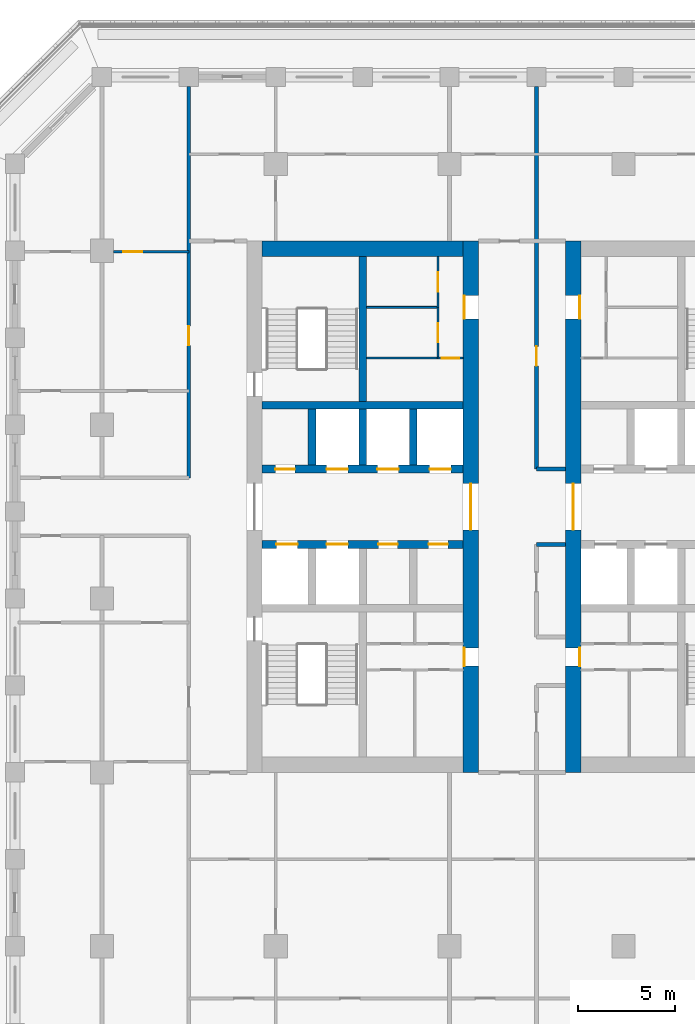
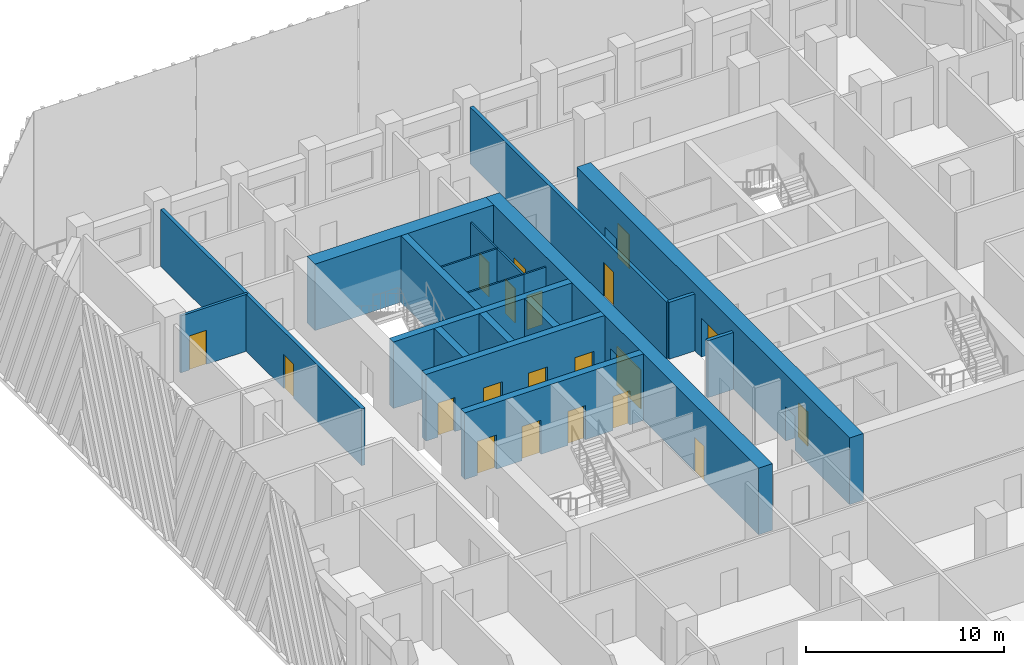
# One storey, part 6 of 17: 20 doors, 20 walls, 20 openings.
"""IFC4 building model written with IfcOpenShell, lengths in metres."""

from ifc_helpers import new_model, si_unit, direction, frame, frame_2d, origin, place, context, subcontext, project, spatial, rectangle, extrude, material, layer, layer_set, type_object, element, fill, save


model = new_model("IFC4")

# Units and contexts
model_context = context("Model", 3, precision=1e-05, world=origin(), true_north=direction((0.0, 1.0)))
body_context = subcontext(model_context, "Body", "Model", "MODEL_VIEW")
ifc_project = project(units=[si_unit("LENGTHUNIT", "METRE"), si_unit("AREAUNIT", "SQUARE_METRE"), si_unit("VOLUMEUNIT", "CUBIC_METRE"), si_unit("PLANEANGLEUNIT", "RADIAN"), si_unit("MASSUNIT", "GRAM", prefix="KILO")], contexts=[model_context])

# Site, building, storey
site_placement = place(None, origin())
site = spatial("IfcSite", under=ifc_project, at=site_placement, CompositionType="ELEMENT")
building_placement = place(site_placement, origin())
building = spatial("IfcBuilding", under=site, at=building_placement, Name="Corbel Stack Research Tower", CompositionType="ELEMENT")
storey_placement = place(building_placement, frame((0.0, 0.0, 216.10009765625)))
storey = spatial("IfcBuildingStorey", under=building, at=storey_placement, Name="L49", CompositionType="ELEMENT", Elevation=216.10009765625)

# Wall, openings, doors
ifc_material_1 = material(Name="Concrete C60/75", Category="concrete")
ifc_layer_1 = layer(ifc_material_1, 0.39990234375)
ifc_layer_set_1 = layer_set([ifc_layer_1], Name="Concrete C60/75")
wall_type_1 = type_object("IfcWallType", Name="CW-400-60", PredefinedType="SHEAR", material=ifc_layer_set_1)
wall_1_placement = place(storey_placement, frame((-9.699951171875, 2.800048828125, 0.0), z_axis=(0.0, 0.0, 1.0), x_axis=(1.0, 0.0, 0.0)))
wall_1 = element("IfcWall", 1, at=wall_1_placement, inside=storey, type_object=wall_type_1, Name="West core wall, lobby south L49", PredefinedType="SHEAR", context=body_context, shape_type="SweptSolid", body=[
    extrude(rectangle(XDim=10.39990234375, YDim=0.39990234375, at=frame_2d((5.199951171875, 0.0))), origin(), (0.0, 0.0, 1.0), 4.099853515625),
])
opening_1_placement = place(wall_1_placement, frame((0.737548828125, 0.0, 0.0)))
opening_1 = element("IfcOpeningElement", 2, at=opening_1_placement, cuts=wall_1, Name="Opening LD-FS1", PredefinedType="OPENING", context=body_context, shape_type="SweptSolid", body=[
    extrude(rectangle(XDim=1.10009765625, YDim=2.10009765625, at=frame_2d((0.550048828125, 1.050048828125))), frame((0.0, 0.2099609375, 0.0), z_axis=(0.0, -1.0, 0.0), x_axis=(1.0, 0.0, 0.0)), (0.0, 0.0, 1.0), 0.419921875),
])
opening_2_placement = place(wall_1_placement, frame((3.33740234375, 0.0, 0.0)))
opening_2 = element("IfcOpeningElement", 3, at=opening_2_placement, cuts=wall_1, Name="Opening LD-GL1", PredefinedType="OPENING", context=body_context, shape_type="SweptSolid", body=[
    extrude(rectangle(XDim=1.10009765625, YDim=2.10009765625, at=frame_2d((0.550048828125, 1.050048828125))), frame((0.0, 0.2099609375, 0.0), z_axis=(0.0, -1.0, 0.0), x_axis=(1.0, 0.0, 0.0)), (0.0, 0.0, 1.0), 0.419921875),
])
opening_3_placement = place(wall_1_placement, frame((6.012451171875, 0.0, 0.0)))
opening_3 = element("IfcOpeningElement", 4, at=opening_3_placement, cuts=wall_1, Name="Opening CR-W54-S3", PredefinedType="OPENING", context=body_context, shape_type="SweptSolid", body=[
    extrude(rectangle(XDim=1.0, YDim=2.10009765625, at=frame_2d((0.5, 1.050048828125))), frame((0.0, 0.2099609375, 0.0), z_axis=(0.0, -1.0, 0.0), x_axis=(1.0, 0.0, 0.0)), (0.0, 0.0, 1.0), 0.419921875),
])
opening_4_placement = place(wall_1_placement, frame((8.612548828125, 0.0, 0.0)))
opening_4 = element("IfcOpeningElement", 5, at=opening_4_placement, cuts=wall_1, Name="Opening CR-W54-S4", PredefinedType="OPENING", context=body_context, shape_type="SweptSolid", body=[
    extrude(rectangle(XDim=1.0, YDim=2.10009765625, at=frame_2d((0.5, 1.050048828125))), frame((0.0, 0.2099609375, 0.0), z_axis=(0.0, -1.0, 0.0), x_axis=(1.0, 0.0, 0.0)), (0.0, 0.0, 1.0), 0.419921875),
])
ifc_material_2 = material(Name="Stainless steel landing door", Category="steel")
door_type_1 = type_object("IfcDoorType", Name="Lift landing door 1100 x 2100", OperationType="DOUBLE_DOOR_SLIDING", PredefinedType="DOOR", material=ifc_material_2)
door_1_placement = place(opening_1_placement, origin())
door_1 = element("IfcDoor", 6, at=door_1_placement, inside=storey, type_object=door_type_1, Name="Landing door FS1", OperationType="DOUBLE_DOOR_SLIDING", OverallHeight=2.10009765625, OverallWidth=1.10009765625, PredefinedType="DOOR", context=body_context, shape_type="SweptSolid", body=[
    extrude(rectangle(XDim=1.10009765625, YDim=2.10009765625, at=frame_2d((0.550048828125, 1.050048828125))), frame((0.0, 0.02490234375, 0.0), z_axis=(0.0, -1.0, 0.0), x_axis=(1.0, 0.0, 0.0)), (0.0, 0.0, 1.0), 0.050048828125),
])
fill(opening_1, door_1)
door_2_placement = place(opening_2_placement, origin())
door_2 = element("IfcDoor", 7, at=door_2_placement, inside=storey, type_object=door_type_1, Name="Landing door GL1", OperationType="DOUBLE_DOOR_SLIDING", OverallHeight=2.10009765625, OverallWidth=1.10009765625, PredefinedType="DOOR", context=body_context, shape_type="SweptSolid", body=[
    extrude(rectangle(XDim=1.10009765625, YDim=2.10009765625, at=frame_2d((0.550048828125, 1.050048828125))), frame((0.0, 0.02490234375, 0.0), z_axis=(0.0, -1.0, 0.0), x_axis=(1.0, 0.0, 0.0)), (0.0, 0.0, 1.0), 0.050048828125),
])
fill(opening_2, door_2)
ifc_material_3 = material(Name="Painted steel door", Category="steel")
door_type_2 = type_object("IfcDoorType", Name="Service door 1000 x 2100 FD60 left hand", OperationType="SINGLE_SWING_LEFT", PredefinedType="DOOR", material=ifc_material_3)
door_3_placement = place(opening_3_placement, origin())
door_3 = element("IfcDoor", 8, at=door_3_placement, inside=storey, type_object=door_type_2, Name="Electrical room door W core", OperationType="SINGLE_SWING_LEFT", OverallHeight=2.10009765625, OverallWidth=1.0, PredefinedType="DOOR", context=body_context, shape_type="SweptSolid", body=[
    extrude(rectangle(XDim=1.0, YDim=2.10009765625, at=frame_2d((0.5, 1.050048828125))), frame((0.0, 0.02490234375, 0.0), z_axis=(0.0, -1.0, 0.0), x_axis=(1.0, 0.0, 0.0)), (0.0, 0.0, 1.0), 0.050048828125),
])
fill(opening_3, door_3)
ifc_material_4 = material(Name="Painted steel door", Category="steel")
door_type_3 = type_object("IfcDoorType", Name="Service door 1000 x 2100 FD60 right hand", OperationType="SINGLE_SWING_RIGHT", PredefinedType="DOOR", material=ifc_material_4)
door_4_placement = place(opening_4_placement, origin())
door_4 = element("IfcDoor", 9, at=door_4_placement, inside=storey, type_object=door_type_3, Name="Pantry door W core", OperationType="SINGLE_SWING_RIGHT", OverallHeight=2.10009765625, OverallWidth=1.0, PredefinedType="DOOR", context=body_context, shape_type="SweptSolid", body=[
    extrude(rectangle(XDim=1.0, YDim=2.10009765625, at=frame_2d((0.5, 1.050048828125))), frame((0.0, 0.02490234375, 0.0), z_axis=(0.0, -1.0, 0.0), x_axis=(1.0, 0.0, 0.0)), (0.0, 0.0, 1.0), 0.050048828125),
])
fill(opening_4, door_4)

wall_2_placement = place(storey_placement, frame((-9.699951171875, 6.699951171875, 0.0), z_axis=(0.0, 0.0, 1.0), x_axis=(1.0, 0.0, 0.0)))
wall_2 = element("IfcWall", 10, at=wall_2_placement, inside=storey, type_object=wall_type_1, Name="West core wall, lobby north L49", PredefinedType="SHEAR", context=body_context, shape_type="SweptSolid", body=[
    extrude(rectangle(XDim=10.39990234375, YDim=0.39990234375, at=frame_2d((5.199951171875, 0.0))), origin(), (0.0, 0.0, 1.0), 4.099853515625),
])
opening_5_placement = place(wall_2_placement, frame((3.33740234375, 0.0, 0.0)))
opening_5 = element("IfcOpeningElement", 11, at=opening_5_placement, cuts=wall_2, Name="Opening LD-HR1", PredefinedType="OPENING", context=body_context, shape_type="SweptSolid", body=[
    extrude(rectangle(XDim=1.10009765625, YDim=2.10009765625, at=frame_2d((0.550048828125, 1.050048828125))), frame((0.0, 0.2099609375, 0.0), z_axis=(0.0, -1.0, 0.0), x_axis=(1.0, 0.0, 0.0)), (0.0, 0.0, 1.0), 0.419921875),
])
opening_6_placement = place(wall_2_placement, frame((5.96240234375, 0.0, 0.0)))
opening_6 = element("IfcOpeningElement", 12, at=opening_6_placement, cuts=wall_2, Name="Opening LD-HR2", PredefinedType="OPENING", context=body_context, shape_type="SweptSolid", body=[
    extrude(rectangle(XDim=1.10009765625, YDim=2.10009765625, at=frame_2d((0.550048828125, 1.050048828125))), frame((0.0, 0.2099609375, 0.0), z_axis=(0.0, -1.0, 0.0), x_axis=(1.0, 0.0, 0.0)), (0.0, 0.0, 1.0), 0.419921875),
])
opening_7_placement = place(wall_2_placement, frame((8.66259765625, 0.0, 0.0)))
opening_7 = element("IfcOpeningElement", 13, at=opening_7_placement, cuts=wall_2, Name="Opening LD-HR3", PredefinedType="OPENING", context=body_context, shape_type="SweptSolid", body=[
    extrude(rectangle(XDim=1.10009765625, YDim=2.10009765625, at=frame_2d((0.550048828125, 1.050048828125))), frame((0.0, 0.2099609375, 0.0), z_axis=(0.0, -1.0, 0.0), x_axis=(1.0, 0.0, 0.0)), (0.0, 0.0, 1.0), 0.419921875),
])
opening_8_placement = place(wall_2_placement, frame((0.6875, 0.0, 0.0)))
opening_8 = element("IfcOpeningElement", 14, at=opening_8_placement, cuts=wall_2, Name="Opening CR-W54-N1", PredefinedType="OPENING", context=body_context, shape_type="SweptSolid", body=[
    extrude(rectangle(XDim=1.0, YDim=2.10009765625, at=frame_2d((0.5, 1.050048828125))), frame((0.0, 0.2099609375, 0.0), z_axis=(0.0, -1.0, 0.0), x_axis=(1.0, 0.0, 0.0)), (0.0, 0.0, 1.0), 0.419921875),
])
door_5_placement = place(opening_5_placement, origin())
door_5 = element("IfcDoor", 15, at=door_5_placement, inside=storey, type_object=door_type_1, Name="Landing door HR1", OperationType="DOUBLE_DOOR_SLIDING", OverallHeight=2.10009765625, OverallWidth=1.10009765625, PredefinedType="DOOR", context=body_context, shape_type="SweptSolid", body=[
    extrude(rectangle(XDim=1.10009765625, YDim=2.10009765625, at=frame_2d((0.550048828125, 1.050048828125))), frame((0.0, 0.02490234375, 0.0), z_axis=(0.0, -1.0, 0.0), x_axis=(1.0, 0.0, 0.0)), (0.0, 0.0, 1.0), 0.050048828125),
])
fill(opening_5, door_5)
door_6_placement = place(opening_6_placement, origin())
door_6 = element("IfcDoor", 16, at=door_6_placement, inside=storey, type_object=door_type_1, Name="Landing door HR2", OperationType="DOUBLE_DOOR_SLIDING", OverallHeight=2.10009765625, OverallWidth=1.10009765625, PredefinedType="DOOR", context=body_context, shape_type="SweptSolid", body=[
    extrude(rectangle(XDim=1.10009765625, YDim=2.10009765625, at=frame_2d((0.550048828125, 1.050048828125))), frame((0.0, 0.02490234375, 0.0), z_axis=(0.0, -1.0, 0.0), x_axis=(1.0, 0.0, 0.0)), (0.0, 0.0, 1.0), 0.050048828125),
])
fill(opening_6, door_6)
door_7_placement = place(opening_7_placement, origin())
door_7 = element("IfcDoor", 17, at=door_7_placement, inside=storey, type_object=door_type_1, Name="Landing door HR3", OperationType="DOUBLE_DOOR_SLIDING", OverallHeight=2.10009765625, OverallWidth=1.10009765625, PredefinedType="DOOR", context=body_context, shape_type="SweptSolid", body=[
    extrude(rectangle(XDim=1.10009765625, YDim=2.10009765625, at=frame_2d((0.550048828125, 1.050048828125))), frame((0.0, 0.02490234375, 0.0), z_axis=(0.0, -1.0, 0.0), x_axis=(1.0, 0.0, 0.0)), (0.0, 0.0, 1.0), 0.050048828125),
])
fill(opening_7, door_7)
door_8_placement = place(opening_8_placement, origin())
door_8 = element("IfcDoor", 18, at=door_8_placement, inside=storey, type_object=door_type_2, Name="Staff WC door W core", OperationType="SINGLE_SWING_LEFT", OverallHeight=2.10009765625, OverallWidth=1.0, PredefinedType="DOOR", context=body_context, shape_type="SweptSolid", body=[
    extrude(rectangle(XDim=1.0, YDim=2.10009765625, at=frame_2d((0.5, 1.050048828125))), frame((0.0, 0.02490234375, 0.0), z_axis=(0.0, -1.0, 0.0), x_axis=(1.0, 0.0, 0.0)), (0.0, 0.0, 1.0), 0.050048828125),
])
fill(opening_8, door_8)

# Walls
wall_3_placement = place(storey_placement, frame((-9.699951171875, 10.0, 0.0), z_axis=(0.0, 0.0, 1.0), x_axis=(1.0, 0.0, 0.0)))
element("IfcWall", 19, at=wall_3_placement, inside=storey, type_object=wall_type_1, Name="West core wall, north row back L49", PredefinedType="SHEAR", context=body_context, shape_type="SweptSolid", body=[
    extrude(rectangle(XDim=10.39990234375, YDim=0.39990234375, at=frame_2d((5.199951171875, 0.0))), origin(), (0.0, 0.0, 1.0), 4.099853515625),
])
for number, where, z_axis, x_axis, name in (
    (20, (-7.125, 6.89990234375, 0.0), (0.0, 0.0, 1.0), (0.0, 1.0, 0.0), "West core wall, north shaft 1 L49"),
    (21, (-4.5, 6.89990234375, 0.0), (0.0, 0.0, 1.0), (0.0, 1.0, 0.0), "West core wall, north shaft 2 L49"),
    (22, (-1.875, 6.89990234375, 0.0), (0.0, 0.0, 1.0), (0.0, 1.0, 0.0), "West core wall, north shaft 3 L49"),
):
    element("IfcWall", number, at=place(storey_placement, frame(where, z_axis=z_axis, x_axis=x_axis)), inside=storey, type_object=wall_type_1, Name=name, PredefinedType="SHEAR", context=body_context, shape_type="SweptSolid", body=[
        extrude(rectangle(XDim=2.900146484375, YDim=0.39990234375, at=frame_2d((1.4501953125, 0.0))), origin(), (0.0, 0.0, 1.0), 4.099853515625),
    ])
wall_4_placement = place(storey_placement, frame((-4.5, 10.199951171875, 0.0), z_axis=(0.0, 0.0, 1.0), x_axis=(0.0, 1.0, 0.0)))
element("IfcWall", 23, at=wall_4_placement, inside=storey, type_object=wall_type_1, Name="West core wall, north stair and riser L49", PredefinedType="SHEAR", context=body_context, shape_type="SweptSolid", body=[
    extrude(rectangle(XDim=7.5, YDim=0.39990234375, at=frame_2d((3.75, 0.0))), origin(), (0.0, 0.0, 1.0), 4.099853515625),
])

# Wall, openings, doors
ifc_material_5 = material(Name="Concrete C60/75", Category="concrete")
ifc_layer_2 = layer(ifc_material_5, 0.800048828125)
ifc_layer_set_2 = layer_set([ifc_layer_2], Name="Concrete C60/75")
wall_type_2 = type_object("IfcWallType", Name="CW-800-60", PredefinedType="SHEAR", material=ifc_layer_set_2)
wall_5_placement = place(storey_placement, frame((1.10009765625, -9.0, 0.0), z_axis=(0.0, 0.0, 1.0), x_axis=(0.0, 1.0, 0.0)))
wall_5 = element("IfcWall", 24, at=wall_5_placement, inside=storey, type_object=wall_type_2, Name="West core wall, east face L49", PredefinedType="SHEAR", context=body_context, shape_type="SweptSolid", body=[
    extrude(rectangle(XDim=27.5, YDim=0.800048828125, at=frame_2d((13.75, 0.0))), origin(), (0.0, 0.0, 1.0), 4.099853515625),
])
opening_9_placement = place(wall_5_placement, frame((12.550048828125, 0.0, 0.0)))
opening_9 = element("IfcOpeningElement", 25, at=opening_9_placement, cuts=wall_5, Name="Opening CD-W-E", PredefinedType="OPENING", context=body_context, shape_type="SweptSolid", body=[
    extrude(rectangle(XDim=2.39990234375, YDim=2.39990234375, at=frame_2d((1.199951171875, 1.199951171875))), frame((0.0, 0.409912109375, 0.0), z_axis=(0.0, -1.0, 0.0), x_axis=(1.0, 0.0, 0.0)), (0.0, 0.0, 1.0), 0.820068359375),
])
opening_10_placement = place(wall_5_placement, frame((5.5, 0.0, 0.0)))
opening_10 = element("IfcOpeningElement", 26, at=opening_10_placement, cuts=wall_5, Name="Opening CR-W54-W1-950", PredefinedType="OPENING", context=body_context, shape_type="SweptSolid", body=[
    extrude(rectangle(XDim=0.949951171875, YDim=2.10009765625, at=frame_2d((0.47509765625, 1.050048828125))), frame((0.0, 0.409912109375, 0.0), z_axis=(0.0, -1.0, 0.0), x_axis=(1.0, 0.0, 0.0)), (0.0, 0.0, 1.0), 0.820068359375),
])
opening_11_placement = place(wall_5_placement, frame((23.47509765625, 0.0, 0.0)))
opening_11 = element("IfcOpeningElement", 27, at=opening_11_placement, cuts=wall_5, Name="Opening CR-W54-R2-1200", PredefinedType="OPENING", context=body_context, shape_type="SweptSolid", body=[
    extrude(rectangle(XDim=1.199951171875, YDim=2.10009765625, at=frame_2d((0.60009765625, 1.050048828125))), frame((0.0, 0.409912109375, 0.0), z_axis=(0.0, -1.0, 0.0), x_axis=(1.0, 0.0, 0.0)), (0.0, 0.0, 1.0), 0.820068359375),
])
ifc_material_6 = material(Name="Painted steel fire door", Category="steel")
door_type_4 = type_object("IfcDoorType", Name="Lobby door pair 2400 x 2400 FD30S", OperationType="DOUBLE_DOOR_DOUBLE_SWING", PredefinedType="DOOR", material=ifc_material_6)
door_9_placement = place(opening_9_placement, origin())
door_9 = element("IfcDoor", 28, at=door_9_placement, inside=storey, type_object=door_type_4, Name="Lift lobby door W core E", OperationType="DOUBLE_DOOR_DOUBLE_SWING", OverallHeight=2.39990234375, OverallWidth=2.39990234375, PredefinedType="DOOR", context=body_context, shape_type="SweptSolid", body=[
    extrude(rectangle(XDim=2.39990234375, YDim=2.39990234375, at=frame_2d((1.199951171875, 1.199951171875))), frame((0.0, 0.02490234375, 0.0), z_axis=(0.0, -1.0, 0.0), x_axis=(1.0, 0.0, 0.0)), (0.0, 0.0, 1.0), 0.050048828125),
])
fill(opening_9, door_9)
ifc_material_7 = material(Name="Painted steel door", Category="steel")
door_type_5 = type_object("IfcDoorType", Name="Service door 1200 x 2100 FD30 right hand", OperationType="SINGLE_SWING_RIGHT", PredefinedType="DOOR", material=ifc_material_7)
door_10_placement = place(opening_11_placement, origin())
door_10 = element("IfcDoor", 29, at=door_10_placement, inside=storey, type_object=door_type_5, Name="Service passage door W core", OperationType="SINGLE_SWING_RIGHT", OverallHeight=2.10009765625, OverallWidth=1.199951171875, PredefinedType="DOOR", context=body_context, shape_type="SweptSolid", body=[
    extrude(rectangle(XDim=1.199951171875, YDim=2.10009765625, at=frame_2d((0.60009765625, 1.050048828125))), frame((0.0, 0.375, 0.0), z_axis=(0.0, -1.0, 0.0), x_axis=(1.0, 0.0, 0.0)), (0.0, 0.0, 1.0), 0.050048828125),
])
fill(opening_11, door_10)
ifc_material_8 = material(Name="Painted timber door", Category="wood")
door_type_6 = type_object("IfcDoorType", Name="WC door 950 x 2100 left hand", OperationType="SINGLE_SWING_LEFT", PredefinedType="DOOR", material=ifc_material_8)
door_11_placement = place(opening_10_placement, origin())
door_11 = element("IfcDoor", 30, at=door_11_placement, inside=storey, type_object=door_type_6, Name="WC lobby door W core", OperationType="SINGLE_SWING_LEFT", OverallHeight=2.10009765625, OverallWidth=0.949951171875, PredefinedType="DOOR", context=body_context, shape_type="SweptSolid", body=[
    extrude(rectangle(XDim=0.949951171875, YDim=2.10009765625, at=frame_2d((0.47509765625, 1.050048828125))), frame((0.0, 0.375, 0.0), z_axis=(0.0, -1.0, 0.0), x_axis=(1.0, 0.0, 0.0)), (0.0, 0.0, 1.0), 0.050048828125),
])
fill(opening_10, door_11)

# Wall
wall_6_placement = place(storey_placement, frame((-9.699951171875, 18.10009765625, 0.0), z_axis=(0.0, 0.0, 1.0), x_axis=(1.0, 0.0, 0.0)))
element("IfcWall", 31, at=wall_6_placement, inside=storey, type_object=wall_type_2, Name="West core wall, north end L49", PredefinedType="SHEAR", context=body_context, shape_type="SweptSolid", body=[
    extrude(rectangle(XDim=10.39990234375, YDim=0.800048828125, at=frame_2d((5.199951171875, 0.0))), origin(), (0.0, 0.0, 1.0), 4.099853515625),
])

# Wall, openings, doors
wall_7_placement = place(storey_placement, frame((6.39990234375, -9.0, 0.0), z_axis=(0.0, 0.0, 1.0), x_axis=(0.0, 1.0, 0.0)))
wall_7 = element("IfcWall", 32, at=wall_7_placement, inside=storey, type_object=wall_type_2, Name="East core wall, west face L49", PredefinedType="SHEAR", context=body_context, shape_type="SweptSolid", body=[
    extrude(rectangle(XDim=27.5, YDim=0.800048828125, at=frame_2d((13.75, 0.0))), origin(), (0.0, 0.0, 1.0), 4.099853515625),
])
opening_12_placement = place(wall_7_placement, frame((12.550048828125, 0.0, 0.0)))
opening_12 = element("IfcOpeningElement", 33, at=opening_12_placement, cuts=wall_7, Name="Opening CD-E-W", PredefinedType="OPENING", context=body_context, shape_type="SweptSolid", body=[
    extrude(rectangle(XDim=2.39990234375, YDim=2.39990234375, at=frame_2d((1.199951171875, 1.199951171875))), frame((0.0, 0.409912109375, 0.0), z_axis=(0.0, -1.0, 0.0), x_axis=(1.0, 0.0, 0.0)), (0.0, 0.0, 1.0), 0.820068359375),
])
opening_13_placement = place(wall_7_placement, frame((5.5, 0.0, 0.0)))
opening_13 = element("IfcOpeningElement", 34, at=opening_13_placement, cuts=wall_7, Name="Opening CR-E54-W1-950", PredefinedType="OPENING", context=body_context, shape_type="SweptSolid", body=[
    extrude(rectangle(XDim=0.949951171875, YDim=2.10009765625, at=frame_2d((0.47509765625, 1.050048828125))), frame((0.0, 0.409912109375, 0.0), z_axis=(0.0, -1.0, 0.0), x_axis=(1.0, 0.0, 0.0)), (0.0, 0.0, 1.0), 0.820068359375),
])
opening_14_placement = place(wall_7_placement, frame((23.47509765625, 0.0, 0.0)))
opening_14 = element("IfcOpeningElement", 35, at=opening_14_placement, cuts=wall_7, Name="Opening CR-E54-R2-1200", PredefinedType="OPENING", context=body_context, shape_type="SweptSolid", body=[
    extrude(rectangle(XDim=1.199951171875, YDim=2.10009765625, at=frame_2d((0.60009765625, 1.050048828125))), frame((0.0, 0.409912109375, 0.0), z_axis=(0.0, -1.0, 0.0), x_axis=(1.0, 0.0, 0.0)), (0.0, 0.0, 1.0), 0.820068359375),
])
door_12_placement = place(opening_12_placement, origin())
door_12 = element("IfcDoor", 36, at=door_12_placement, inside=storey, type_object=door_type_4, Name="Lift lobby door E core W", OperationType="DOUBLE_DOOR_DOUBLE_SWING", OverallHeight=2.39990234375, OverallWidth=2.39990234375, PredefinedType="DOOR", context=body_context, shape_type="SweptSolid", body=[
    extrude(rectangle(XDim=2.39990234375, YDim=2.39990234375, at=frame_2d((1.199951171875, 1.199951171875))), frame((0.0, 0.02490234375, 0.0), z_axis=(0.0, -1.0, 0.0), x_axis=(1.0, 0.0, 0.0)), (0.0, 0.0, 1.0), 0.050048828125),
])
fill(opening_12, door_12)
ifc_material_9 = material(Name="Painted steel door", Category="steel")
door_type_7 = type_object("IfcDoorType", Name="Service door 1200 x 2100 FD30 left hand", OperationType="SINGLE_SWING_LEFT", PredefinedType="DOOR", material=ifc_material_9)
door_13_placement = place(opening_14_placement, origin())
door_13 = element("IfcDoor", 37, at=door_13_placement, inside=storey, type_object=door_type_7, Name="Service passage door E core", OperationType="SINGLE_SWING_LEFT", OverallHeight=2.10009765625, OverallWidth=1.199951171875, PredefinedType="DOOR", context=body_context, shape_type="SweptSolid", body=[
    extrude(rectangle(XDim=1.199951171875, YDim=2.10009765625, at=frame_2d((0.60009765625, 1.050048828125))), frame((0.0, -0.3251953125, 0.0), z_axis=(0.0, -1.0, 0.0), x_axis=(1.0, 0.0, 0.0)), (0.0, 0.0, 1.0), 0.050048828125),
])
fill(opening_14, door_13)
ifc_material_10 = material(Name="Painted timber door", Category="wood")
door_type_8 = type_object("IfcDoorType", Name="WC door 950 x 2100 right hand", OperationType="SINGLE_SWING_RIGHT", PredefinedType="DOOR", material=ifc_material_10)
door_14_placement = place(opening_13_placement, origin())
door_14 = element("IfcDoor", 38, at=door_14_placement, inside=storey, type_object=door_type_8, Name="WC lobby door E core", OperationType="SINGLE_SWING_RIGHT", OverallHeight=2.10009765625, OverallWidth=0.949951171875, PredefinedType="DOOR", context=body_context, shape_type="SweptSolid", body=[
    extrude(rectangle(XDim=0.949951171875, YDim=2.10009765625, at=frame_2d((0.47509765625, 1.050048828125))), frame((0.0, -0.3251953125, 0.0), z_axis=(0.0, -1.0, 0.0), x_axis=(1.0, 0.0, 0.0)), (0.0, 0.0, 1.0), 0.050048828125),
])
fill(opening_13, door_14)

# Wall, opening, door
ifc_material_11 = material(Name="Gypsum board")
ifc_layer_3 = layer(ifc_material_11, 0.10009765625)
ifc_layer_set_3 = layer_set([ifc_layer_3], Name="Gypsum board")
wall_type_3 = type_object("IfcWallType", Name="Core partition 100", PredefinedType="PARTITIONING", material=ifc_layer_set_3)
wall_8_placement = place(storey_placement, frame((-0.60009765625, 12.449951171875, 0.0), z_axis=(0.0, 0.0, 1.0), x_axis=(1.0, 0.0, 0.0)))
wall_8 = element("IfcWall", 39, at=wall_8_placement, inside=storey, type_object=wall_type_3, Name="Core partition W", PredefinedType="PARTITIONING", context=body_context, shape_type="SweptSolid", body=[
    extrude(rectangle(XDim=1.300048828125, YDim=0.10009765625, at=frame_2d((0.64990234375, 0.0))), origin(), (0.0, 0.0, 1.0), 3.5),
])
opening_15_placement = place(wall_8_placement, frame((0.199951171875, 0.0, 0.0)))
opening_15 = element("IfcOpeningElement", 40, at=opening_15_placement, cuts=wall_8, Name="Opening CR-W54-R1-900", PredefinedType="OPENING", context=body_context, shape_type="SweptSolid", body=[
    extrude(rectangle(XDim=0.89990234375, YDim=2.10009765625, at=frame_2d((0.449951171875, 1.050048828125))), frame((0.0, 0.06005859375, 0.0), z_axis=(0.0, -1.0, 0.0), x_axis=(1.0, 0.0, 0.0)), (0.0, 0.0, 1.0), 0.1201171875),
])
ifc_material_12 = material(Name="Painted steel door", Category="steel")
door_type_9 = type_object("IfcDoorType", Name="Riser door 900 x 2100 FD60 left hand", OperationType="SINGLE_SWING_LEFT", PredefinedType="DOOR", material=ifc_material_12)
door_15_placement = place(opening_15_placement, origin())
door_15 = element("IfcDoor", 41, at=door_15_placement, inside=storey, type_object=door_type_9, Name="Electrical riser door W core", OperationType="SINGLE_SWING_LEFT", OverallHeight=2.10009765625, OverallWidth=0.89990234375, PredefinedType="DOOR", context=body_context, shape_type="SweptSolid", body=[
    extrude(rectangle(XDim=0.89990234375, YDim=2.10009765625, at=frame_2d((0.449951171875, 1.050048828125))), frame((0.0, 0.02490234375, 0.0), z_axis=(0.0, -1.0, 0.0), x_axis=(1.0, 0.0, 0.0)), (0.0, 0.0, 1.0), 0.050048828125),
])
fill(opening_15, door_15)

# Wall
wall_9_placement = place(storey_placement, frame((-4.300048828125, 12.449951171875, 0.0), z_axis=(0.0, 0.0, 1.0), x_axis=(1.0, 0.0, 0.0)))
element("IfcWall", 42, at=wall_9_placement, inside=storey, type_object=wall_type_3, Name="Core partition W", PredefinedType="PARTITIONING", context=body_context, shape_type="SweptSolid", body=[
    extrude(rectangle(XDim=3.699951171875, YDim=0.10009765625, at=frame_2d((1.85009765625, 0.0))), origin(), (0.0, 0.0, 1.0), 3.5),
])

# Wall, opening, door
wall_10_placement = place(storey_placement, frame((-0.60009765625, 12.449951171875, 0.0), z_axis=(0.0, 0.0, 1.0), x_axis=(0.0, 1.0, 0.0)))
wall_10 = element("IfcWall", 43, at=wall_10_placement, inside=storey, type_object=wall_type_3, Name="Core partition W", PredefinedType="PARTITIONING", context=body_context, shape_type="SweptSolid", body=[
    extrude(rectangle(XDim=2.625, YDim=0.10009765625, at=frame_2d((1.3125, 0.0))), origin(), (0.0, 0.0, 1.0), 3.5),
])
opening_16_placement = place(wall_10_placement, frame((0.8125, 0.0, 0.0)))
opening_16 = element("IfcOpeningElement", 44, at=opening_16_placement, cuts=wall_10, Name="Opening CR-W54-R3-1000", PredefinedType="OPENING", context=body_context, shape_type="SweptSolid", body=[
    extrude(rectangle(XDim=1.0, YDim=2.10009765625, at=frame_2d((0.5, 1.050048828125))), frame((0.0, 0.06005859375, 0.0), z_axis=(0.0, -1.0, 0.0), x_axis=(1.0, 0.0, 0.0)), (0.0, 0.0, 1.0), 0.1201171875),
])
ifc_material_13 = material(Name="Painted steel door", Category="steel")
door_type_10 = type_object("IfcDoorType", Name="Service door 1000 x 2100 FD30 left hand", OperationType="SINGLE_SWING_LEFT", PredefinedType="DOOR", material=ifc_material_13)
door_16_placement = place(opening_16_placement, origin())
door_16 = element("IfcDoor", 45, at=door_16_placement, inside=storey, type_object=door_type_10, Name="Pantry door W core", OperationType="SINGLE_SWING_LEFT", OverallHeight=2.10009765625, OverallWidth=1.0, PredefinedType="DOOR", context=body_context, shape_type="SweptSolid", body=[
    extrude(rectangle(XDim=1.0, YDim=2.10009765625, at=frame_2d((0.5, 1.050048828125))), frame((0.0, 0.02490234375, 0.0), z_axis=(0.0, -1.0, 0.0), x_axis=(1.0, 0.0, 0.0)), (0.0, 0.0, 1.0), 0.050048828125),
])
fill(opening_16, door_16)

wall_11_placement = place(storey_placement, frame((-0.60009765625, 15.074951171875, 0.0), z_axis=(0.0, 0.0, 1.0), x_axis=(0.0, 1.0, 0.0)))
wall_11 = element("IfcWall", 46, at=wall_11_placement, inside=storey, type_object=wall_type_3, Name="Core partition W", PredefinedType="PARTITIONING", context=body_context, shape_type="SweptSolid", body=[
    extrude(rectangle(XDim=2.625, YDim=0.10009765625, at=frame_2d((1.3125, 0.0))), origin(), (0.0, 0.0, 1.0), 3.5),
])
opening_17_placement = place(wall_11_placement, frame((0.8125, 0.0, 0.0)))
opening_17 = element("IfcOpeningElement", 47, at=opening_17_placement, cuts=wall_11, Name="Opening CR-W54-R4-1000", PredefinedType="OPENING", context=body_context, shape_type="SweptSolid", body=[
    extrude(rectangle(XDim=1.0, YDim=2.10009765625, at=frame_2d((0.5, 1.050048828125))), frame((0.0, 0.06005859375, 0.0), z_axis=(0.0, -1.0, 0.0), x_axis=(1.0, 0.0, 0.0)), (0.0, 0.0, 1.0), 0.1201171875),
])
ifc_material_14 = material(Name="Painted steel door", Category="steel")
door_type_11 = type_object("IfcDoorType", Name="Service door 1000 x 2100 FD30 right hand", OperationType="SINGLE_SWING_RIGHT", PredefinedType="DOOR", material=ifc_material_14)
door_17_placement = place(opening_17_placement, origin())
door_17 = element("IfcDoor", 48, at=door_17_placement, inside=storey, type_object=door_type_11, Name="Copy and supply store door W core", OperationType="SINGLE_SWING_RIGHT", OverallHeight=2.10009765625, OverallWidth=1.0, PredefinedType="DOOR", context=body_context, shape_type="SweptSolid", body=[
    extrude(rectangle(XDim=1.0, YDim=2.10009765625, at=frame_2d((0.5, 1.050048828125))), frame((0.0, 0.02490234375, 0.0), z_axis=(0.0, -1.0, 0.0), x_axis=(1.0, 0.0, 0.0)), (0.0, 0.0, 1.0), 0.050048828125),
])
fill(opening_17, door_17)

# Wall
wall_12_placement = place(storey_placement, frame((-4.300048828125, 15.074951171875, 0.0), z_axis=(0.0, 0.0, 1.0), x_axis=(1.0, 0.0, 0.0)))
element("IfcWall", 49, at=wall_12_placement, inside=storey, type_object=wall_type_3, Name="Core partition W", PredefinedType="PARTITIONING", context=body_context, shape_type="SweptSolid", body=[
    extrude(rectangle(XDim=3.699951171875, YDim=0.10009765625, at=frame_2d((1.85009765625, 0.0))), origin(), (0.0, 0.0, 1.0), 3.5),
])

# Wall, opening, door
ifc_material_15 = material(Name="Fire-rated gypsum board partition on steel studs", Category="steel")
ifc_layer_4 = layer(ifc_material_15, 0.199951171875)
ifc_layer_set_4 = layer_set([ifc_layer_4], Name="Fire-rated gypsum board partition on steel studs")
wall_type_4 = type_object("IfcWallType", Name="Fire-rated partition 200 EI 60", PredefinedType="PARTITIONING", material=ifc_layer_set_4)
wall_13_placement = place(storey_placement, frame((-13.5, 6.25, 0.0), z_axis=(0.0, 0.0, 1.0), x_axis=(0.0, 1.0, 0.0)))
wall_13 = element("IfcWall", 50, at=wall_13_placement, inside=storey, type_object=wall_type_4, Name="Partition L49-009", PredefinedType="PARTITIONING", context=body_context, shape_type="SweptSolid", body=[
    extrude(rectangle(XDim=20.25, YDim=0.199951171875, at=frame_2d((10.125, 0.0))), origin(), (0.0, 0.0, 1.0), 3.5),
])
opening_18_placement = place(wall_13_placement, frame((6.85009765625, 0.0, 0.0)))
opening_18 = element("IfcOpeningElement", 51, at=opening_18_placement, cuts=wall_13, Name="Opening B6V2-010", PredefinedType="OPENING", context=body_context, shape_type="SweptSolid", body=[
    extrude(rectangle(XDim=1.0, YDim=2.10009765625, at=frame_2d((0.5, 1.050048828125))), frame((0.0, 0.10986328125, 0.0), z_axis=(0.0, -1.0, 0.0), x_axis=(1.0, 0.0, 0.0)), (0.0, 0.0, 1.0), 0.219970703125),
])
ifc_material_16 = material(Name="Painted steel fire door", Category="steel")
door_type_12 = type_object("IfcDoorType", Name="Fire door FD30S 1000 x 2100", OperationType="NOTDEFINED", PredefinedType="DOOR", material=ifc_material_16)
door_18_placement = place(opening_18_placement, origin())
door_18 = element("IfcDoor", 52, at=door_18_placement, inside=storey, type_object=door_type_12, Name="Door B6V2-010", OperationType="SINGLE_SWING_LEFT", OverallHeight=2.10009765625, OverallWidth=1.0, PredefinedType="DOOR", context=body_context, shape_type="SweptSolid", body=[
    extrude(rectangle(XDim=1.0, YDim=2.10009765625, at=frame_2d((0.5, 1.050048828125))), frame((0.0, 0.02490234375, 0.0), z_axis=(0.0, -1.0, 0.0), x_axis=(1.0, 0.0, 0.0)), (0.0, 0.0, 1.0), 0.050048828125),
])
fill(opening_18, door_18)

wall_14_placement = place(storey_placement, frame((4.5, 26.5, 0.0), z_axis=(0.0, 0.0, 1.0), x_axis=(0.0, -1.0, 0.0)))
wall_14 = element("IfcWall", 53, at=wall_14_placement, inside=storey, type_object=wall_type_4, Name="Partition L49-020", PredefinedType="PARTITIONING", context=body_context, shape_type="SweptSolid", body=[
    extrude(rectangle(XDim=19.800048828125, YDim=0.199951171875, at=frame_2d((9.89990234375, 0.0))), origin(), (0.0, 0.0, 1.0), 3.5),
])
opening_19_placement = place(wall_14_placement, frame((13.449951171875, 0.0, 0.0)))
opening_19 = element("IfcOpeningElement", 54, at=opening_19_placement, cuts=wall_14, Name="Opening B6V2-028", PredefinedType="OPENING", context=body_context, shape_type="SweptSolid", body=[
    extrude(rectangle(XDim=1.0, YDim=2.10009765625, at=frame_2d((0.5, 1.050048828125))), frame((0.0, 0.10986328125, 0.0), z_axis=(0.0, -1.0, 0.0), x_axis=(1.0, 0.0, 0.0)), (0.0, 0.0, 1.0), 0.219970703125),
])
door_19_placement = place(opening_19_placement, origin())
door_19 = element("IfcDoor", 55, at=door_19_placement, inside=storey, type_object=door_type_12, Name="Door B6V2-028", OperationType="SINGLE_SWING_RIGHT", OverallHeight=2.10009765625, OverallWidth=1.0, PredefinedType="DOOR", context=body_context, shape_type="SweptSolid", body=[
    extrude(rectangle(XDim=1.0, YDim=2.10009765625, at=frame_2d((0.5, 1.050048828125))), frame((0.0, 0.02490234375, 0.0), z_axis=(0.0, -1.0, 0.0), x_axis=(1.0, 0.0, 0.0)), (0.0, 0.0, 1.0), 0.050048828125),
])
fill(opening_19, door_19)

# Walls
for number, where, z_axis, x_axis, name in (
    (56, (4.5, 2.800048828125, 0.0), (0.0, 0.0, 1.0), (1.0, 0.0, 0.0), "Partition L49-044"),
    (57, (4.5, 6.699951171875, 0.0), (0.0, 0.0, 1.0), (1.0, 0.0, 0.0), "Partition L49-049"),
):
    element("IfcWall", number, at=place(storey_placement, frame(where, z_axis=z_axis, x_axis=x_axis)), inside=storey, type_object=wall_type_4, Name=name, PredefinedType="PARTITIONING", context=body_context, shape_type="SweptSolid", body=[
        extrude(rectangle(XDim=1.5, YDim=0.199951171875, at=frame_2d((0.75, 0.0))), origin(), (0.0, 0.0, 1.0), 3.5),
    ])

# Wall, opening, door
ifc_material_17 = material(Name="Gypsum board partition on steel studs", Category="steel")
ifc_layer_5 = layer(ifc_material_17, 0.14990234375)
ifc_layer_set_5 = layer_set([ifc_layer_5], Name="Gypsum board partition on steel studs")
wall_type_5 = type_object("IfcWallType", Name="Partition 150", PredefinedType="PARTITIONING", material=ifc_layer_set_5)
wall_15_placement = place(storey_placement, frame((-17.39990234375, 17.949951171875, 0.0), z_axis=(0.0, 0.0, 1.0), x_axis=(1.0, 0.0, 0.0)))
wall_15 = element("IfcWall", 58, at=wall_15_placement, inside=storey, type_object=wall_type_5, Name="Partition L49-053", PredefinedType="PARTITIONING", context=body_context, shape_type="SweptSolid", body=[
    extrude(rectangle(XDim=3.89990234375, YDim=0.14990234375, at=frame_2d((1.949951171875, 0.0))), origin(), (0.0, 0.0, 1.0), 3.5),
])
opening_20_placement = place(wall_15_placement, frame((0.5, 0.0, 0.0)))
opening_20 = element("IfcOpeningElement", 59, at=opening_20_placement, cuts=wall_15, Name="Opening B6V2-036", PredefinedType="OPENING", context=body_context, shape_type="SweptSolid", body=[
    extrude(rectangle(XDim=1.0, YDim=2.10009765625, at=frame_2d((0.5, 1.050048828125))), frame((0.0, 0.0849609375, 0.0), z_axis=(0.0, -1.0, 0.0), x_axis=(1.0, 0.0, 0.0)), (0.0, 0.0, 1.0), 0.169921875),
])
ifc_material_18 = material(Name="Painted timber door", Category="wood")
door_type_13 = type_object("IfcDoorType", Name="Single door 1000 x 2100", OperationType="NOTDEFINED", PredefinedType="DOOR", material=ifc_material_18)
door_20_placement = place(opening_20_placement, origin())
door_20 = element("IfcDoor", 60, at=door_20_placement, inside=storey, type_object=door_type_13, Name="Door B6V2-036", OperationType="SINGLE_SWING_LEFT", OverallHeight=2.10009765625, OverallWidth=1.0, PredefinedType="DOOR", context=body_context, shape_type="SweptSolid", body=[
    extrude(rectangle(XDim=1.0, YDim=2.10009765625, at=frame_2d((0.5, 1.050048828125))), frame((0.0, 0.02490234375, 0.0), z_axis=(0.0, -1.0, 0.0), x_axis=(1.0, 0.0, 0.0)), (0.0, 0.0, 1.0), 0.050048828125),
])
fill(opening_20, door_20)

save(model, "model.ifc")
